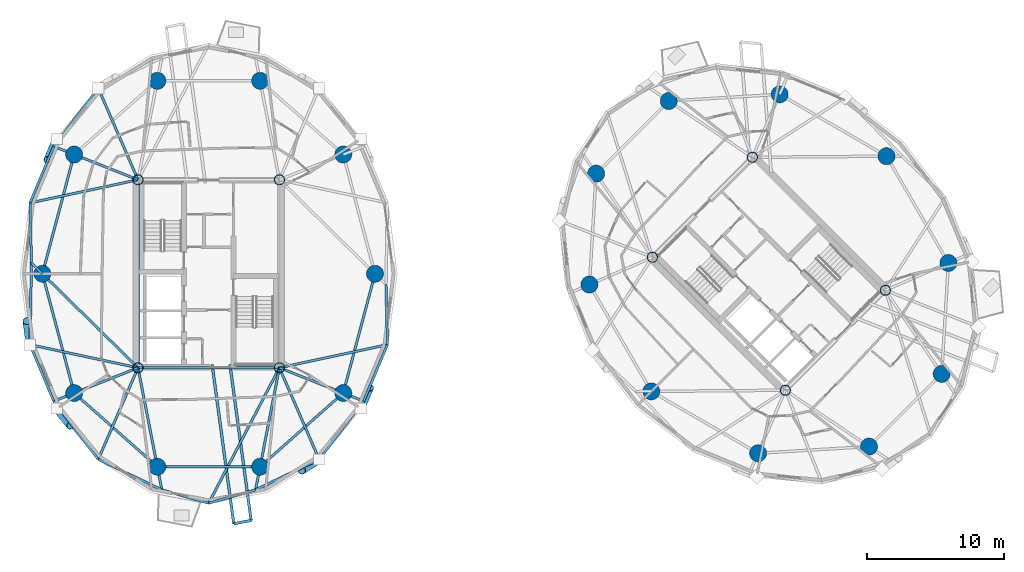
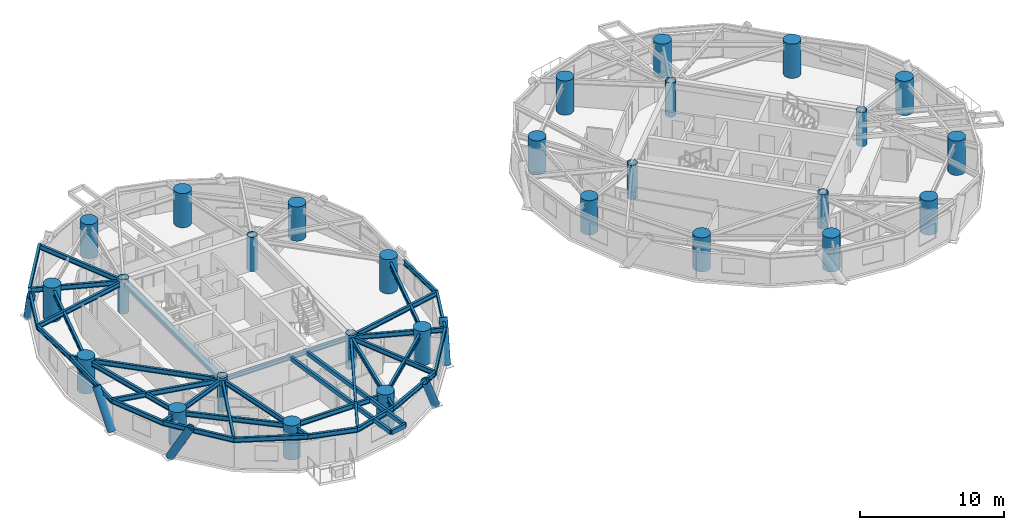
# One storey, part 1 of 19: 38 beams, 28 columns, 5 members.
"""IFC4 building model written with IfcOpenShell, lengths in metres."""

from ifc_helpers import new_model, si_unit, direction, frame, origin, origin_2d, place, context, subcontext, project, spatial, hollow_rectangle, circle, hollow_circle, i_section, extrude, material, material_profile, profile_set, type_object, element, save


model = new_model("IFC4")

# Units and contexts
model_context = context("Model", 3, precision=1e-05, world=origin(), true_north=direction((0.0, 1.0)))
body_context = subcontext(model_context, "Body", "Model", "MODEL_VIEW")
ifc_project = project(units=[si_unit("LENGTHUNIT", "METRE"), si_unit("AREAUNIT", "SQUARE_METRE"), si_unit("VOLUMEUNIT", "CUBIC_METRE"), si_unit("PLANEANGLEUNIT", "RADIAN"), si_unit("MASSUNIT", "GRAM", prefix="KILO")], contexts=[model_context])

# Site, building, storey
site_placement = place(None, origin())
site = spatial("IfcSite", under=ifc_project, at=site_placement, CompositionType="ELEMENT")
building_placement = place(site_placement, origin())
building = spatial("IfcBuilding", under=site, at=building_placement, Name="Cununo Teusaquillo Station Towers", CompositionType="ELEMENT")
storey_placement = place(building_placement, frame((0.0, 0.0, 177.7900390625)))
storey = spatial("IfcBuildingStorey", under=building, at=storey_placement, Name="L56", CompositionType="ELEMENT", Elevation=177.7900390625)

# Columns
ifc_material_1 = material(Name="Steel EN 10025-2 S355J2", Category="steel")
ifc_material_profile_1 = material_profile(ifc_material_1, hollow_circle(Radius=0.3798828125, WallThickness=0.031982421875, at=origin_2d()), Name="CHS 760x32")
ifc_profile_set_1 = profile_set([ifc_material_profile_1], Name="Steel EN 10025-2 S355J2")
column_type_1 = type_object("IfcColumnType", Name="COL-CORE-Z2", PredefinedType="COLUMN", material=ifc_profile_set_1)
for number, where, z_axis, x_axis, name in (
    (1, (11.324951171875, 17.6201171875, 0.0), (0.0, 0.0, 1.0), (1.0, 0.0, 0.0), "L56 Tower A Core Column 1"),
    (2, (11.324951171875, 31.3798828125, 0.0), (0.0, 0.0, 1.0), (1.0, 0.0, 0.0), "L56 Tower A Core Column 2"),
    (3, (21.675048828125, 17.6201171875, 0.0), (0.0, 0.0, 1.0), (1.0, 0.0, 0.0), "L56 Tower A Core Column 3"),
    (4, (21.675048828125, 31.3798828125, 0.0), (0.0, 0.0, 1.0), (1.0, 0.0, 0.0), "L56 Tower A Core Column 4"),
    (5, (58.70556640625, 15.975830078125, 0.0), (0.0, 0.0, 1.0), (0.707106781187, 0.707106781187, 0.0), "L56 Tower B Core Column 1"),
    (6, (48.975830078125, 25.70556640625, 0.0), (0.0, 0.0, 1.0), (0.707106781187, 0.707106781187, 0.0), "L56 Tower B Core Column 2"),
    (7, (66.024169921875, 23.29443359375, 0.0), (0.0, 0.0, 1.0), (0.707106781187, 0.707106781187, 0.0), "L56 Tower B Core Column 3"),
    (8, (56.29443359375, 33.024169921875, 0.0), (0.0, 0.0, 1.0), (0.707106781187, 0.707106781187, 0.0), "L56 Tower B Core Column 4"),
):
    element("IfcColumn", number, at=place(storey_placement, frame(where, z_axis=z_axis, x_axis=x_axis)), inside=storey, type_object=column_type_1, Name=name, PredefinedType="COLUMN", context=body_context, shape_type="SweptSolid", body=[
        extrude(hollow_circle(Radius=0.3798828125, WallThickness=0.031982421875, at=origin_2d()), origin(), (0.0, 0.0, 1.0), 2.909912109375),
    ])
ifc_material_2 = material(Name="Concrete C60/75", Category="concrete")
ifc_material_profile_2 = material_profile(ifc_material_2, circle(Radius=0.625, at=origin_2d()), Name="RC-CIRC-1250")
ifc_profile_set_2 = profile_set([ifc_material_profile_2], Name="Concrete C60/75")
column_type_2 = type_object("IfcColumnType", Name="COL-MEGA-Z3", PredefinedType="USERDEFINED", material=ifc_profile_set_2)
for number, where, z_axis, x_axis, name in (
    (9, (28.672119140625, 24.5, 0.0), (0.0, 0.0, 1.0), (1.0, 0.0, 0.0), "L56 Tower A Perimeter Column V00"),
    (10, (26.347412109375, 33.228515625, 0.0), (0.0, 0.0, 1.0), (1.0, 0.0, 0.0), "L56 Tower A Perimeter Column V02"),
    (11, (20.261474609375, 38.623291015625, 0.0), (0.0, 0.0, 1.0), (1.0, 0.0, 0.0), "L56 Tower A Perimeter Column V04"),
    (12, (12.738525390625, 38.623291015625, 0.0), (0.0, 0.0, 1.0), (1.0, 0.0, 0.0), "L56 Tower A Perimeter Column V06"),
    (13, (6.652587890625, 33.228515625, 0.0), (0.0, 0.0, 1.0), (1.0, 0.0, 0.0), "L56 Tower A Perimeter Column V08"),
    (14, (4.327880859375, 24.5, 0.0), (0.0, 0.0, 1.0), (1.0, 0.0, 0.0), "L56 Tower A Perimeter Column V10"),
    (15, (6.652587890625, 15.771484375, 0.0), (0.0, 0.0, 1.0), (1.0, 0.0, 0.0), "L56 Tower A Perimeter Column V12"),
    (16, (12.738525390625, 10.376708984375, 0.0), (0.0, 0.0, 1.0), (1.0, 0.0, 0.0), "L56 Tower A Perimeter Column V14"),
    (17, (20.261474609375, 10.376708984375, 0.0), (0.0, 0.0, 1.0), (1.0, 0.0, 0.0), "L56 Tower A Perimeter Column V16"),
    (18, (26.347412109375, 15.771484375, 0.0), (0.0, 0.0, 1.0), (1.0, 0.0, 0.0), "L56 Tower A Perimeter Column V18"),
    (19, (66.10693359375, 33.10693359375, 0.0), (0.0, 0.0, 1.0), (1.0, 0.0, 0.0), "L56 Tower B Perimeter Column V00"),
    (20, (58.291015625, 37.63525390625, 0.0), (0.0, 0.0, 1.0), (1.0, 0.0, 0.0), "L56 Tower B Perimeter Column V02"),
    (21, (50.173095703125, 37.146240234375, 0.0), (0.0, 0.0, 1.0), (1.0, 0.0, 0.0), "L56 Tower B Perimeter Column V04"),
    (22, (44.853759765625, 31.826904296875, 0.0), (0.0, 0.0, 1.0), (1.0, 0.0, 0.0), "L56 Tower B Perimeter Column V06"),
    (23, (44.36474609375, 23.708984375, 0.0), (0.0, 0.0, 1.0), (1.0, 0.0, 0.0), "L56 Tower B Perimeter Column V08"),
    (24, (48.89306640625, 15.89306640625, 0.0), (0.0, 0.0, 1.0), (1.0, 0.0, 0.0), "L56 Tower B Perimeter Column V10"),
    (25, (56.708984375, 11.36474609375, 0.0), (0.0, 0.0, 1.0), (1.0, 0.0, 0.0), "L56 Tower B Perimeter Column V12"),
    (26, (64.826904296875, 11.853759765625, 0.0), (0.0, 0.0, 1.0), (1.0, 0.0, 0.0), "L56 Tower B Perimeter Column V14"),
    (27, (70.146240234375, 17.173095703125, 0.0), (0.0, 0.0, 1.0), (1.0, 0.0, 0.0), "L56 Tower B Perimeter Column V16"),
    (28, (70.63525390625, 25.291015625, 0.0), (0.0, 0.0, 1.0), (1.0, 0.0, 0.0), "L56 Tower B Perimeter Column V18"),
):
    element("IfcColumn", number, at=place(storey_placement, frame(where, z_axis=z_axis, x_axis=x_axis)), inside=storey, type_object=column_type_2, Name=name, ObjectType="MEGA COLUMN", PredefinedType="USERDEFINED", context=body_context, shape_type="SweptSolid", body=[
        extrude(circle(Radius=0.625, at=origin_2d()), origin(), (0.0, 0.0, 1.0), 2.909912109375),
    ])

# Beams
ifc_material_3 = material(Name="Steel EN 10025-2 S355J2", Category="steel")
ifc_material_profile_3 = material_profile(ifc_material_3, hollow_rectangle(XDim=0.199951171875, YDim=0.35009765625, WallThickness=0.013916015625, at=origin_2d()), Name="RHS 350x200x14")
ifc_profile_set_3 = profile_set([ifc_material_profile_3], Name="Steel EN 10025-2 S355J2")
beam_type_1 = type_object("IfcBeamType", Name="BM-BAL-CANT", PredefinedType="BEAM", material=ifc_profile_set_3)
beam_1_placement = place(storey_placement, frame((16.751953125, 17.85009765625, 2.514892578125), z_axis=(0.134615370715, -0.990897927118, 0.0), x_axis=(0.990897927118, 0.134615370715, 0.0)))
element("IfcBeam", 29, at=beam_1_placement, inside=storey, type_object=beam_type_1, Name="L56 Tower A Balcony Cantilever Bracket 2A", PredefinedType="BEAM", context=body_context, shape_type="SweptSolid", body=[
    extrude(hollow_rectangle(XDim=0.199951171875, YDim=0.35009765625, WallThickness=0.013916015625, at=origin_2d()), origin(), (0.0, 0.0, 1.0), 11.752197265625),
])
beam_2_placement = place(storey_placement, frame((18.05517578125, 17.85009765625, 2.514892578125), z_axis=(0.134626438315, -0.990896423501, 0.0), x_axis=(0.990896423501, 0.134626438315, 0.0)))
element("IfcBeam", 30, at=beam_2_placement, inside=storey, type_object=beam_type_1, Name="L56 Tower A Balcony Cantilever Bracket 2B", PredefinedType="BEAM", context=body_context, shape_type="SweptSolid", body=[
    extrude(hollow_rectangle(XDim=0.199951171875, YDim=0.35009765625, WallThickness=0.013916015625, at=origin_2d()), origin(), (0.0, 0.0, 1.0), 11.504638671875),
])
ifc_material_4 = material(Name="Steel EN 10025-2 S355J2", Category="steel")
ifc_material_profile_4 = material_profile(ifc_material_4, hollow_rectangle(XDim=0.25, YDim=0.449951171875, WallThickness=0.01611328125, at=origin_2d()), Name="RHS 450x250x16")
ifc_profile_set_4 = profile_set([ifc_material_profile_4], Name="Steel EN 10025-2 S355J2")
beam_type_2 = type_object("IfcBeamType", Name="BM-COUP-1", PredefinedType="USERDEFINED", material=ifc_profile_set_4)
beam_3_placement = place(storey_placement, frame((11.324951171875, 17.6201171875, 2.46484375), z_axis=(0.0, 1.0, 0.0), x_axis=(-1.0, 0.0, 0.0)))
element("IfcBeam", 31, at=beam_3_placement, inside=storey, type_object=beam_type_2, Name="L56 Tower A Core Beam 1", ObjectType="COUPLING BEAM", PredefinedType="USERDEFINED", context=body_context, shape_type="SweptSolid", body=[
    extrude(hollow_rectangle(XDim=0.25, YDim=0.449951171875, WallThickness=0.01611328125, at=origin_2d()), origin(), (0.0, 0.0, 1.0), 13.759765625),
])
ifc_material_5 = material(Name="Steel ASTM A572 Grade 50", Category="steel")
ifc_material_profile_5 = material_profile(ifc_material_5, i_section(OverallWidth=0.180908203125, OverallDepth=0.4169921875, WebThickness=0.010986328125, FlangeThickness=0.018310546875, FilletRadius=0.012939453125, at=origin_2d()), Name="W16X57")
ifc_profile_set_5 = profile_set([ifc_material_profile_5], Name="Steel ASTM A572 Grade 50")
beam_type_3 = type_object("IfcBeamType", Name="BM-JOIST-1", PredefinedType="JOIST", material=ifc_profile_set_5)
beam_4_placement = place(storey_placement, frame((11.324951171875, 31.3798828125, 2.4814453125), z_axis=(-0.397903718051, 0.917427180304, 0.0), x_axis=(-0.917427180304, -0.397903718051, 0.0)))
element("IfcBeam", 32, at=beam_4_placement, inside=storey, type_object=beam_type_3, Name="L56 Tower A Radial Spandrel Joist V07", PredefinedType="JOIST", context=body_context, shape_type="SweptSolid", body=[
    extrude(i_section(OverallWidth=0.180908203125, OverallDepth=0.4169921875, WebThickness=0.010986328125, FlangeThickness=0.018310546875, FilletRadius=0.012939453125, at=origin_2d()), origin(), (0.0, 0.0, 1.0), 7.306884765625),
])
for number, where, z_axis, x_axis, name in (
    (33, (11.324951171875, 31.3798828125, 2.4814453125), (-0.977854548984, -0.209285644589, 0.0), (0.209285644589, -0.977854548984, 0.0), "L56 Tower A Radial Spandrel Joist V09"),
    (34, (11.324951171875, 17.6201171875, 2.4814453125), (-0.977854548984, 0.209285644589, 0.0), (-0.209285644589, -0.977854548984, 0.0), "L56 Tower A Radial Spandrel Joist V11"),
):
    element("IfcBeam", number, at=place(storey_placement, frame(where, z_axis=z_axis, x_axis=x_axis)), inside=storey, type_object=beam_type_3, Name=name, PredefinedType="JOIST", context=body_context, shape_type="SweptSolid", body=[
        extrude(i_section(OverallWidth=0.180908203125, OverallDepth=0.4169921875, WebThickness=0.010986328125, FlangeThickness=0.018310546875, FilletRadius=0.012939453125, at=origin_2d()), origin(), (0.0, 0.0, 1.0), 8.081787109375),
    ])
beam_5_placement = place(storey_placement, frame((11.324951171875, 17.6201171875, 2.4814453125), z_axis=(-0.397903718051, -0.917427180304, 0.0), x_axis=(0.917427180304, -0.397903718051, 0.0)))
element("IfcBeam", 35, at=beam_5_placement, inside=storey, type_object=beam_type_3, Name="L56 Tower A Radial Spandrel Joist V13", PredefinedType="JOIST", context=body_context, shape_type="SweptSolid", body=[
    extrude(i_section(OverallWidth=0.180908203125, OverallDepth=0.4169921875, WebThickness=0.010986328125, FlangeThickness=0.018310546875, FilletRadius=0.012939453125, at=origin_2d()), origin(), (0.0, 0.0, 1.0), 7.306884765625),
])
beam_6_placement = place(storey_placement, frame((21.675048828125, 17.6201171875, 2.4814453125), z_axis=(-0.462884645231, -0.886418527113, 0.0), x_axis=(0.886418527113, -0.462884645231, 0.0)))
element("IfcBeam", 36, at=beam_6_placement, inside=storey, type_object=beam_type_3, Name="L56 Tower A Radial Spandrel Joist V15", PredefinedType="JOIST", context=body_context, shape_type="SweptSolid", body=[
    extrude(i_section(OverallWidth=0.180908203125, OverallDepth=0.4169921875, WebThickness=0.010986328125, FlangeThickness=0.018310546875, FilletRadius=0.012939453125, at=origin_2d()), origin(), (0.0, 0.0, 1.0), 11.179931640625),
])
beam_7_placement = place(storey_placement, frame((21.675048828125, 17.6201171875, 2.4814453125), z_axis=(0.397903718051, -0.917427180304, 0.0), x_axis=(0.917427180304, 0.397903718051, 0.0)))
element("IfcBeam", 37, at=beam_7_placement, inside=storey, type_object=beam_type_3, Name="L56 Tower A Radial Spandrel Joist V17", PredefinedType="JOIST", context=body_context, shape_type="SweptSolid", body=[
    extrude(i_section(OverallWidth=0.180908203125, OverallDepth=0.4169921875, WebThickness=0.010986328125, FlangeThickness=0.018310546875, FilletRadius=0.012939453125, at=origin_2d()), origin(), (0.0, 0.0, 1.0), 7.306884765625),
])
beam_8_placement = place(storey_placement, frame((21.675048828125, 17.6201171875, 2.4814453125), z_axis=(0.977854548984, 0.209285644589, 0.0), x_axis=(-0.209285644589, 0.977854548984, 0.0)))
element("IfcBeam", 38, at=beam_8_placement, inside=storey, type_object=beam_type_3, Name="L56 Tower A Radial Spandrel Joist V19", PredefinedType="JOIST", context=body_context, shape_type="SweptSolid", body=[
    extrude(i_section(OverallWidth=0.180908203125, OverallDepth=0.4169921875, WebThickness=0.010986328125, FlangeThickness=0.018310546875, FilletRadius=0.012939453125, at=origin_2d()), origin(), (0.0, 0.0, 1.0), 8.081787109375),
])
ifc_material_6 = material(Name="Steel ASTM A572 Grade 50", Category="steel")
ifc_material_profile_6 = material_profile(ifc_material_6, i_section(OverallWidth=0.2041015625, OverallDepth=0.35009765625, WebThickness=0.008544921875, FlangeThickness=0.01513671875, FilletRadius=0.011962890625, at=origin_2d()), Name="W14X48")
ifc_profile_set_6 = profile_set([ifc_material_profile_6], Name="Steel ASTM A572 Grade 50")
beam_type_4 = type_object("IfcBeamType", Name="BM-LINTEL-1", PredefinedType="LINTEL", material=ifc_profile_set_6)
beam_9_placement = place(storey_placement, frame((11.324951171875, 17.6201171875, 2.514892578125), z_axis=(1.0, 0.0, 0.0), x_axis=(0.0, 1.0, 0.0)))
element("IfcBeam", 39, at=beam_9_placement, inside=storey, type_object=beam_type_4, Name="L56 Tower A Core Beam 3", PredefinedType="LINTEL", context=body_context, shape_type="SweptSolid", body=[
    extrude(i_section(OverallWidth=0.2041015625, OverallDepth=0.35009765625, WebThickness=0.008544921875, FlangeThickness=0.01513671875, FilletRadius=0.011962890625, at=origin_2d()), origin(), (0.0, 0.0, 1.0), 10.35009765625),
])
ifc_material_7 = material(Name="Steel ASTM A572 Grade 50", Category="steel")
ifc_material_profile_7 = material_profile(ifc_material_7, i_section(OverallWidth=0.180908203125, OverallDepth=0.4169921875, WebThickness=0.010986328125, FlangeThickness=0.018310546875, FilletRadius=0.012939453125, at=origin_2d()), Name="W16X57")
ifc_profile_set_7 = profile_set([ifc_material_profile_7], Name="Steel ASTM A572 Grade 50")
beam_type_5 = type_object("IfcBeamType", Name="BM-RAD-G2", PredefinedType="BEAM", material=ifc_profile_set_7)
beam_10_placement = place(storey_placement, frame((11.324951171875, 31.3798828125, 2.4814453125), z_axis=(-0.929866438974, 0.367897275974, 0.0), x_axis=(-0.367897275974, -0.929866438974, 0.0)))
element("IfcBeam", 40, at=beam_10_placement, inside=storey, type_object=beam_type_5, Name="L56 Tower A Continuous Overhanging Radial Girder 05", PredefinedType="BEAM", context=body_context, shape_type="SweptSolid", body=[
    extrude(i_section(OverallWidth=0.180908203125, OverallDepth=0.4169921875, WebThickness=0.010986328125, FlangeThickness=0.018310546875, FilletRadius=0.012939453125, at=origin_2d()), origin(), (0.0, 0.0, 1.0), 6.632080078125),
])
beam_11_placement = place(storey_placement, frame((11.324951171875, 17.6201171875, 2.4814453125), z_axis=(-0.713052701438, 0.701110437073, 0.0), x_axis=(-0.701110437073, -0.713052701438, 0.0)))
element("IfcBeam", 41, at=beam_11_placement, inside=storey, type_object=beam_type_5, Name="L56 Tower A Radial Girder 06A", PredefinedType="BEAM", context=body_context, shape_type="SweptSolid", body=[
    extrude(i_section(OverallWidth=0.180908203125, OverallDepth=0.4169921875, WebThickness=0.010986328125, FlangeThickness=0.018310546875, FilletRadius=0.012939453125, at=origin_2d()), origin(), (0.0, 0.0, 1.0), 9.812744140625),
])
beam_12_placement = place(storey_placement, frame((4.327880859375, 24.5, 2.4814453125), z_axis=(-0.713045362701, 0.701117900734, 0.0), x_axis=(-0.701117900734, -0.713045362701, 0.0)))
element("IfcBeam", 42, at=beam_12_placement, inside=storey, type_object=beam_type_5, Name="L56 Tower A Perimeter Overhang Girder 06B", PredefinedType="BEAM", context=body_context, shape_type="SweptSolid", body=[
    extrude(i_section(OverallWidth=0.180908203125, OverallDepth=0.4169921875, WebThickness=0.010986328125, FlangeThickness=0.018310546875, FilletRadius=0.012939453125, at=origin_2d()), origin(), (0.0, 0.0, 1.0), 1.125732421875),
])
beam_13_placement = place(storey_placement, frame((11.324951171875, 17.6201171875, 2.4814453125), z_axis=(-0.929866438974, -0.367897275974, 0.0), x_axis=(0.367897275974, -0.929866438974, 0.0)))
element("IfcBeam", 43, at=beam_13_placement, inside=storey, type_object=beam_type_5, Name="L56 Tower A Continuous Overhanging Radial Girder 07", PredefinedType="BEAM", context=body_context, shape_type="SweptSolid", body=[
    extrude(i_section(OverallWidth=0.180908203125, OverallDepth=0.4169921875, WebThickness=0.010986328125, FlangeThickness=0.018310546875, FilletRadius=0.012939453125, at=origin_2d()), origin(), (0.0, 0.0, 1.0), 6.632080078125),
])
for number, where, z_axis, x_axis, name in (
    (44, (11.324951171875, 17.6201171875, 2.4814453125), (0.191557018874, -0.981481486591, 0.0), (0.981481486591, 0.191557018874, 0.0), "L56 Tower A Continuous Overhanging Radial Girder 08"),
    (45, (21.675048828125, 17.6201171875, 2.4814453125), (-0.191557018874, -0.981481486591, 0.0), (0.981481486591, -0.191557018874, 0.0), "L56 Tower A Continuous Overhanging Radial Girder 09"),
):
    element("IfcBeam", number, at=place(storey_placement, frame(where, z_axis=z_axis, x_axis=x_axis)), inside=storey, type_object=beam_type_5, Name=name, PredefinedType="BEAM", context=body_context, shape_type="SweptSolid", body=[
        extrude(i_section(OverallWidth=0.180908203125, OverallDepth=0.4169921875, WebThickness=0.010986328125, FlangeThickness=0.018310546875, FilletRadius=0.012939453125, at=origin_2d()), origin(), (0.0, 0.0, 1.0), 9.097412109375),
    ])
beam_14_placement = place(storey_placement, frame((21.675048828125, 17.6201171875, 2.4814453125), z_axis=(0.929866438974, -0.367897275974, 0.0), x_axis=(0.367897275974, 0.929866438974, 0.0)))
element("IfcBeam", 46, at=beam_14_placement, inside=storey, type_object=beam_type_5, Name="L56 Tower A Continuous Overhanging Radial Girder 10", PredefinedType="BEAM", context=body_context, shape_type="SweptSolid", body=[
    extrude(i_section(OverallWidth=0.180908203125, OverallDepth=0.4169921875, WebThickness=0.010986328125, FlangeThickness=0.018310546875, FilletRadius=0.012939453125, at=origin_2d()), origin(), (0.0, 0.0, 1.0), 6.632080078125),
])
ifc_material_8 = material(Name="Steel ASTM A572 Grade 50", Category="steel")
ifc_material_profile_8 = material_profile(ifc_material_8, i_section(OverallWidth=0.180908203125, OverallDepth=0.4169921875, WebThickness=0.010986328125, FlangeThickness=0.018310546875, FilletRadius=0.012939453125, at=origin_2d()), Name="W16X57")
ifc_profile_set_8 = profile_set([ifc_material_profile_8], Name="Steel ASTM A572 Grade 50")
beam_type_6 = type_object("IfcBeamType", Name="BM-RING-Z3", PredefinedType="SPANDREL", material=ifc_profile_set_8)
for number, where, z_axis, x_axis, name in (
    (47, (6.652587890625, 33.228515625, 2.4814453125), (-0.257363196347, -0.966314744359, 0.0), (0.966314744359, -0.257363196347, 0.0), "L56 Tower A Structural Column Ring Girder 05"),
    (48, (4.327880859375, 24.5, 2.4814453125), (0.257363196347, -0.966314744359, 0.0), (0.966314744359, 0.257363196347, 0.0), "L56 Tower A Structural Column Ring Girder 06"),
):
    element("IfcBeam", number, at=place(storey_placement, frame(where, z_axis=z_axis, x_axis=x_axis)), inside=storey, type_object=beam_type_6, Name=name, PredefinedType="SPANDREL", context=body_context, shape_type="SweptSolid", body=[
        extrude(i_section(OverallWidth=0.180908203125, OverallDepth=0.4169921875, WebThickness=0.010986328125, FlangeThickness=0.018310546875, FilletRadius=0.012939453125, at=origin_2d()), origin(), (0.0, 0.0, 1.0), 9.03271484375),
    ])
beam_15_placement = place(storey_placement, frame((6.652587890625, 15.771484375, 2.4814453125), z_axis=(0.74832120039, -0.66333655187, 0.0), x_axis=(0.66333655187, 0.74832120039, 0.0)))
element("IfcBeam", 49, at=beam_15_placement, inside=storey, type_object=beam_type_6, Name="L56 Tower A Structural Column Ring Girder 07", PredefinedType="SPANDREL", context=body_context, shape_type="SweptSolid", body=[
    extrude(i_section(OverallWidth=0.180908203125, OverallDepth=0.4169921875, WebThickness=0.010986328125, FlangeThickness=0.018310546875, FilletRadius=0.012939453125, at=origin_2d()), origin(), (0.0, 0.0, 1.0), 8.1328125),
])
beam_16_placement = place(storey_placement, frame((12.738525390625, 10.376708984375, 2.4814453125), z_axis=(1.0, 0.0, 0.0), x_axis=(0.0, 1.0, 0.0)))
element("IfcBeam", 50, at=beam_16_placement, inside=storey, type_object=beam_type_6, Name="L56 Tower A Structural Column Ring Girder 08", PredefinedType="SPANDREL", context=body_context, shape_type="SweptSolid", body=[
    extrude(i_section(OverallWidth=0.180908203125, OverallDepth=0.4169921875, WebThickness=0.010986328125, FlangeThickness=0.018310546875, FilletRadius=0.012939453125, at=origin_2d()), origin(), (0.0, 0.0, 1.0), 7.52294921875),
])
beam_17_placement = place(storey_placement, frame((20.261474609375, 10.376708984375, 2.4814453125), z_axis=(0.74832120039, 0.66333655187, 0.0), x_axis=(-0.66333655187, 0.74832120039, 0.0)))
element("IfcBeam", 51, at=beam_17_placement, inside=storey, type_object=beam_type_6, Name="L56 Tower A Structural Column Ring Girder 09", PredefinedType="SPANDREL", context=body_context, shape_type="SweptSolid", body=[
    extrude(i_section(OverallWidth=0.180908203125, OverallDepth=0.4169921875, WebThickness=0.010986328125, FlangeThickness=0.018310546875, FilletRadius=0.012939453125, at=origin_2d()), origin(), (0.0, 0.0, 1.0), 8.1328125),
])
beam_18_placement = place(storey_placement, frame((26.347412109375, 15.771484375, 2.4814453125), z_axis=(0.257363196347, 0.966314744359, 0.0), x_axis=(-0.966314744359, 0.257363196347, 0.0)))
element("IfcBeam", 52, at=beam_18_placement, inside=storey, type_object=beam_type_6, Name="L56 Tower A Structural Column Ring Girder 10", PredefinedType="SPANDREL", context=body_context, shape_type="SweptSolid", body=[
    extrude(i_section(OverallWidth=0.180908203125, OverallDepth=0.4169921875, WebThickness=0.010986328125, FlangeThickness=0.018310546875, FilletRadius=0.012939453125, at=origin_2d()), origin(), (0.0, 0.0, 1.0), 9.03271484375),
])
beam_19_placement = place(storey_placement, frame((8.41748046875, 38.08349609375, 2.4814453125), z_axis=(-0.607340349092, -0.794441753916, 0.0), x_axis=(0.794441753916, -0.607340349092, 0.0)))
element("IfcBeam", 53, at=beam_19_placement, inside=storey, type_object=beam_type_6, Name="L56 Tower A Spandrel Ring Beam 08", PredefinedType="SPANDREL", context=body_context, shape_type="SweptSolid", body=[
    extrude(i_section(OverallWidth=0.180908203125, OverallDepth=0.4169921875, WebThickness=0.010986328125, FlangeThickness=0.018310546875, FilletRadius=0.012939453125, at=origin_2d()), origin(), (0.0, 0.0, 1.0), 5.366943359375),
])
beam_20_placement = place(storey_placement, frame((5.157958984375, 33.81982421875, 2.4814453125), z_axis=(-0.387360300858, -0.921928412253, 0.0), x_axis=(0.921928412253, -0.387360300858, 0.0)))
element("IfcBeam", 54, at=beam_20_placement, inside=storey, type_object=beam_type_6, Name="L56 Tower A Spandrel Ring Beam 09", PredefinedType="SPANDREL", context=body_context, shape_type="SweptSolid", body=[
    extrude(i_section(OverallWidth=0.180908203125, OverallDepth=0.4169921875, WebThickness=0.010986328125, FlangeThickness=0.018310546875, FilletRadius=0.012939453125, at=origin_2d()), origin(), (0.0, 0.0, 1.0), 4.481201171875),
])
beam_21_placement = place(storey_placement, frame((3.422119140625, 29.6884765625, 2.4814453125), z_axis=(0.0234133036, -0.999725871034, 0.0), x_axis=(0.999725871034, 0.0234133036, 0.0)))
element("IfcBeam", 55, at=beam_21_placement, inside=storey, type_object=beam_type_6, Name="L56 Tower A Spandrel Ring Beam 10", PredefinedType="SPANDREL", context=body_context, shape_type="SweptSolid", body=[
    extrude(i_section(OverallWidth=0.180908203125, OverallDepth=0.4169921875, WebThickness=0.010986328125, FlangeThickness=0.018310546875, FilletRadius=0.012939453125, at=origin_2d()), origin(), (0.0, 0.0, 1.0), 4.400390625),
])
beam_22_placement = place(storey_placement, frame((3.525146484375, 25.289306640625, 2.4814453125), z_axis=(-0.017232482627, -0.999851509747, 0.0), x_axis=(0.999851509747, -0.017232482627, 0.0)))
element("IfcBeam", 56, at=beam_22_placement, inside=storey, type_object=beam_type_6, Name="L56 Tower A Spandrel Ring Beam 11", PredefinedType="SPANDREL", context=body_context, shape_type="SweptSolid", body=[
    extrude(i_section(OverallWidth=0.180908203125, OverallDepth=0.4169921875, WebThickness=0.010986328125, FlangeThickness=0.018310546875, FilletRadius=0.012939453125, at=origin_2d()), origin(), (0.0, 0.0, 1.0), 5.978759765625),
])
beam_23_placement = place(storey_placement, frame((3.422119140625, 19.3115234375, 2.4814453125), z_axis=(0.387360300858, -0.921928412253, 0.0), x_axis=(0.921928412253, 0.387360300858, 0.0)))
element("IfcBeam", 57, at=beam_23_placement, inside=storey, type_object=beam_type_6, Name="L56 Tower A Spandrel Ring Beam 12", PredefinedType="SPANDREL", context=body_context, shape_type="SweptSolid", body=[
    extrude(i_section(OverallWidth=0.180908203125, OverallDepth=0.4169921875, WebThickness=0.010986328125, FlangeThickness=0.018310546875, FilletRadius=0.012939453125, at=origin_2d()), origin(), (0.0, 0.0, 1.0), 4.481201171875),
])
beam_24_placement = place(storey_placement, frame((5.157958984375, 15.18017578125, 2.4814453125), z_axis=(0.607340349092, -0.794441753916, 0.0), x_axis=(0.794441753916, 0.607340349092, 0.0)))
element("IfcBeam", 58, at=beam_24_placement, inside=storey, type_object=beam_type_6, Name="L56 Tower A Spandrel Ring Beam 13", PredefinedType="SPANDREL", context=body_context, shape_type="SweptSolid", body=[
    extrude(i_section(OverallWidth=0.180908203125, OverallDepth=0.4169921875, WebThickness=0.010986328125, FlangeThickness=0.018310546875, FilletRadius=0.012939453125, at=origin_2d()), origin(), (0.0, 0.0, 1.0), 5.366943359375),
])
beam_25_placement = place(storey_placement, frame((8.41748046875, 10.91650390625, 2.4814453125), z_axis=(0.902031610991, -0.431669981319, 0.0), x_axis=(0.431669981319, 0.902031610991, 0.0)))
element("IfcBeam", 59, at=beam_25_placement, inside=storey, type_object=beam_type_6, Name="L56 Tower A Spandrel Ring Beam 14", PredefinedType="SPANDREL", context=body_context, shape_type="SweptSolid", body=[
    extrude(i_section(OverallWidth=0.180908203125, OverallDepth=0.4169921875, WebThickness=0.010986328125, FlangeThickness=0.018310546875, FilletRadius=0.012939453125, at=origin_2d()), origin(), (0.0, 0.0, 1.0), 5.1552734375),
])
for number, where, z_axis, x_axis, name in (
    (60, (13.067626953125, 8.691162109375, 2.4814453125), (0.961485227168, -0.274856613414, 0.0), (0.274856613414, 0.961485227168, 0.0), "L56 Tower A Spandrel Ring Beam 15"),
    (61, (16.5, 7.7099609375, 2.4814453125), (0.961485227168, 0.274856613414, 0.0), (-0.274856613414, 0.961485227168, 0.0), "L56 Tower A Spandrel Ring Beam 16"),
):
    element("IfcBeam", number, at=place(storey_placement, frame(where, z_axis=z_axis, x_axis=x_axis)), inside=storey, type_object=beam_type_6, Name=name, PredefinedType="SPANDREL", context=body_context, shape_type="SweptSolid", body=[
        extrude(i_section(OverallWidth=0.180908203125, OverallDepth=0.4169921875, WebThickness=0.010986328125, FlangeThickness=0.018310546875, FilletRadius=0.012939453125, at=origin_2d()), origin(), (0.0, 0.0, 1.0), 3.56982421875),
    ])
beam_26_placement = place(storey_placement, frame((19.932373046875, 8.691162109375, 2.4814453125), z_axis=(0.902031610991, 0.431669981319, 0.0), x_axis=(-0.431669981319, 0.902031610991, 0.0)))
element("IfcBeam", 62, at=beam_26_placement, inside=storey, type_object=beam_type_6, Name="L56 Tower A Spandrel Ring Beam 17", PredefinedType="SPANDREL", context=body_context, shape_type="SweptSolid", body=[
    extrude(i_section(OverallWidth=0.180908203125, OverallDepth=0.4169921875, WebThickness=0.010986328125, FlangeThickness=0.018310546875, FilletRadius=0.012939453125, at=origin_2d()), origin(), (0.0, 0.0, 1.0), 5.1552734375),
])
beam_27_placement = place(storey_placement, frame((24.58251953125, 10.91650390625, 2.4814453125), z_axis=(0.607340349092, 0.794441753916, 0.0), x_axis=(-0.794441753916, 0.607340349092, 0.0)))
element("IfcBeam", 63, at=beam_27_placement, inside=storey, type_object=beam_type_6, Name="L56 Tower A Spandrel Ring Beam 18", PredefinedType="SPANDREL", context=body_context, shape_type="SweptSolid", body=[
    extrude(i_section(OverallWidth=0.180908203125, OverallDepth=0.4169921875, WebThickness=0.010986328125, FlangeThickness=0.018310546875, FilletRadius=0.012939453125, at=origin_2d()), origin(), (0.0, 0.0, 1.0), 5.366943359375),
])
beam_28_placement = place(storey_placement, frame((27.842041015625, 15.18017578125, 2.4814453125), z_axis=(0.387360300858, 0.921928412253, 0.0), x_axis=(-0.921928412253, 0.387360300858, 0.0)))
element("IfcBeam", 64, at=beam_28_placement, inside=storey, type_object=beam_type_6, Name="L56 Tower A Spandrel Ring Beam 19", PredefinedType="SPANDREL", context=body_context, shape_type="SweptSolid", body=[
    extrude(i_section(OverallWidth=0.180908203125, OverallDepth=0.4169921875, WebThickness=0.010986328125, FlangeThickness=0.018310546875, FilletRadius=0.012939453125, at=origin_2d()), origin(), (0.0, 0.0, 1.0), 4.481201171875),
])
beam_29_placement = place(storey_placement, frame((29.577880859375, 19.3115234375, 2.4814453125), z_axis=(-0.0234133036, 0.999725871034, 0.0), x_axis=(-0.999725871034, -0.0234133036, 0.0)))
element("IfcBeam", 65, at=beam_29_placement, inside=storey, type_object=beam_type_6, Name="L56 Tower A Spandrel Ring Beam 20", PredefinedType="SPANDREL", context=body_context, shape_type="SweptSolid", body=[
    extrude(i_section(OverallWidth=0.180908203125, OverallDepth=0.4169921875, WebThickness=0.010986328125, FlangeThickness=0.018310546875, FilletRadius=0.012939453125, at=origin_2d()), origin(), (0.0, 0.0, 1.0), 4.400390625),
])
ifc_material_9 = material(Name="Steel EN 10025-2 S355J2", Category="steel")
ifc_material_profile_9 = material_profile(ifc_material_9, hollow_rectangle(XDim=0.199951171875, YDim=0.35009765625, WallThickness=0.013916015625, at=origin_2d()), Name="RHS 350x200x14")
ifc_profile_set_9 = profile_set([ifc_material_profile_9], Name="Steel EN 10025-2 S355J2")
beam_type_7 = type_object("IfcBeamType", Name="BM-STAIR-TRIM", PredefinedType="BEAM", material=ifc_profile_set_9)
beam_30_placement = place(storey_placement, frame((18.333984375, 6.204833984375, 2.52490234375), z_axis=(0.981844538169, 0.189687381942, 0.0), x_axis=(-0.189687381942, 0.981844538169, 0.0)))
element("IfcBeam", 66, at=beam_30_placement, inside=storey, type_object=beam_type_7, Name="L56 Tower A Balcony Edge Trimmer Beam 2", PredefinedType="BEAM", context=body_context, shape_type="SweptSolid", body=[
    extrude(hollow_rectangle(XDim=0.199951171875, YDim=0.35009765625, WallThickness=0.013916015625, at=origin_2d()), origin(), (0.0, 0.0, 1.0), 1.29345703125),
])

# Members
ifc_material_10 = material(Name="Steel EN 10025-2 S355J2", Category="steel")
ifc_material_profile_10 = material_profile(ifc_material_10, hollow_circle(Radius=0.304931640625, WallThickness=0.02001953125, at=origin_2d()), Name="CHS 610x20")
ifc_profile_set_10 = profile_set([ifc_material_profile_10], Name="Steel EN 10025-2 S355J2")
member_type = type_object("IfcMemberType", Name="MBR-DIAG-Z3", PredefinedType="BRACE", material=ifc_profile_set_10)
member_1_placement = place(storey_placement, frame((5.375244140625, 34.368896484375, -0.14013671875), z_axis=(-0.193462029796, -0.463597987411, 0.864667189788), x_axis=(0.922867447473, -0.38511774095, 0.0)))
element("IfcMember", 67, at=member_1_placement, inside=storey, type_object=member_type, Name="L56 Tower A Folded-Zigzag Diagrid Tube C08", PredefinedType="BRACE", context=body_context, shape_type="SweptSolid", body=[
    extrude(hollow_circle(Radius=0.304931640625, WallThickness=0.02001953125, at=origin_2d()), origin(), (0.0, 0.0, 1.0), 3.36572265625),
])
member_2_placement = place(storey_placement, frame((3.422119140625, 19.3115234375, -0.14013671875), z_axis=(-0.06613153639, 0.509766924686, 0.857767044361), x_axis=(-0.991689942952, -0.128650911572, 0.0)))
element("IfcMember", 68, at=member_2_placement, inside=storey, type_object=member_type, Name="L56 Tower A Folded-Zigzag Diagrid Tube C10", PredefinedType="BRACE", context=body_context, shape_type="SweptSolid", body=[
    extrude(hollow_circle(Radius=0.304931640625, WallThickness=0.02001953125, at=origin_2d()), origin(), (0.0, 0.0, 1.0), 3.392822265625),
])
member_3_placement = place(storey_placement, frame((5.375244140625, 14.631103515625, -0.14013671875), z_axis=(0.305352617903, -0.372833047184, 0.876216467357), x_axis=(0.773644588877, 0.633619799329, 0.0)))
element("IfcMember", 69, at=member_3_placement, inside=storey, type_object=member_type, Name="L56 Tower A Folded-Zigzag Diagrid Tube C12", PredefinedType="BRACE", context=body_context, shape_type="SweptSolid", body=[
    extrude(hollow_circle(Radius=0.304931640625, WallThickness=0.02001953125, at=origin_2d()), origin(), (0.0, 0.0, 1.0), 3.3212890625),
])
member_4_placement = place(storey_placement, frame((24.58251953125, 10.91650390625, -0.14013671875), z_axis=(-0.390029746929, -0.242632184945, 0.888260333089), x_axis=(0.528218719344, -0.849108346758, 0.0)))
element("IfcMember", 70, at=member_4_placement, inside=storey, type_object=member_type, Name="L56 Tower A Folded-Zigzag Diagrid Tube C16", PredefinedType="BRACE", context=body_context, shape_type="SweptSolid", body=[
    extrude(hollow_circle(Radius=0.304931640625, WallThickness=0.02001953125, at=origin_2d()), origin(), (0.0, 0.0, 1.0), 3.276123046875),
])
member_5_placement = place(storey_placement, frame((27.624755859375, 14.631103515625, -0.14013671875), z_axis=(0.193462029796, 0.463597987411, 0.864667189788), x_axis=(-0.922867447473, 0.38511774095, 0.0)))
element("IfcMember", 71, at=member_5_placement, inside=storey, type_object=member_type, Name="L56 Tower A Folded-Zigzag Diagrid Tube C18", PredefinedType="BRACE", context=body_context, shape_type="SweptSolid", body=[
    extrude(hollow_circle(Radius=0.304931640625, WallThickness=0.02001953125, at=origin_2d()), origin(), (0.0, 0.0, 1.0), 3.36572265625),
])

save(model, "model.ifc")
